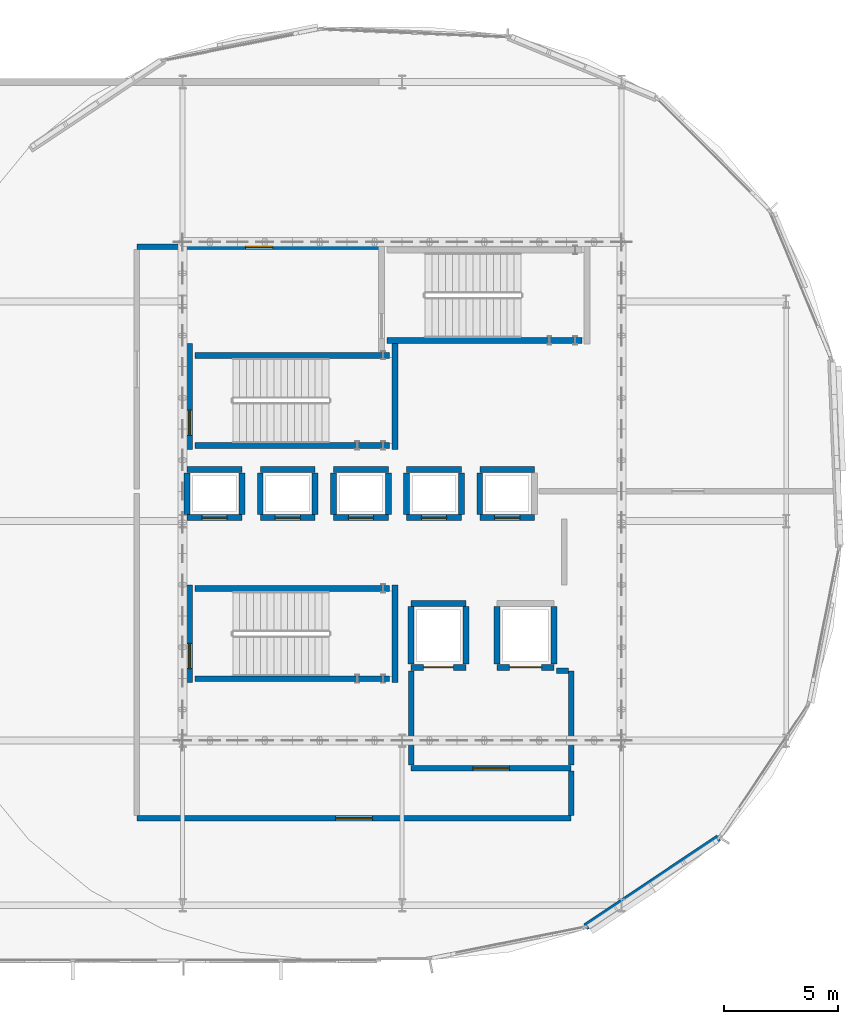
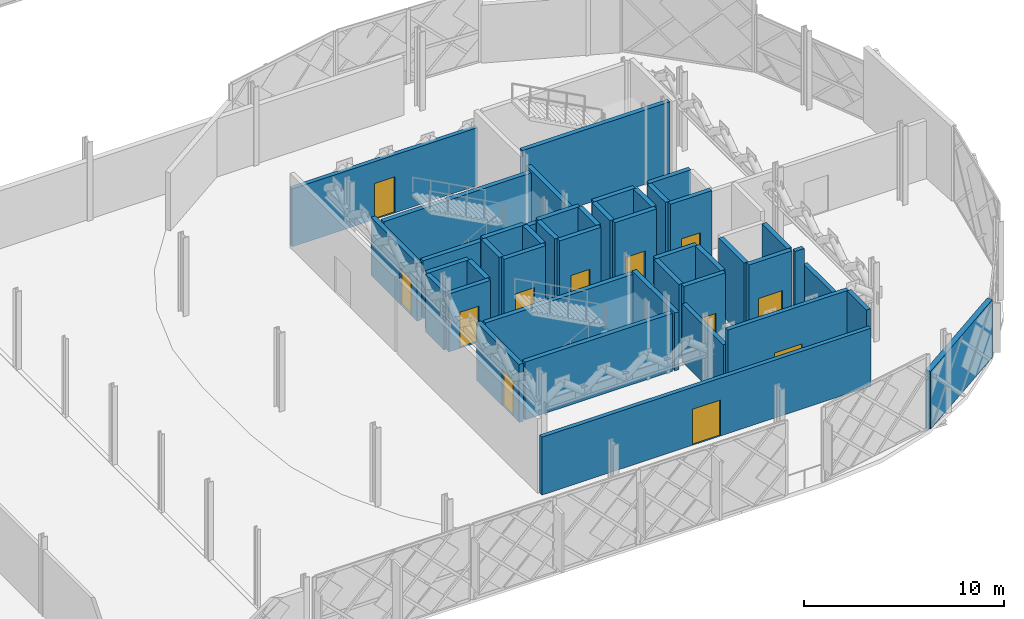
# One storey, part 52 of 77: 43 walls, 12 doors, 12 openings.
"""IFC4 building model written with IfcOpenShell, lengths in metres."""

import ifcopenshell
import ifcopenshell.guid

model = None  # the IFC model being written
_history = None  # IfcOwnerHistory: only IFC2X3 demands one
_inside = {}  # id of a spatial element -> (the spatial element, [elements in it])
_under = {}  # id of a project, library or spatial element -> (it, [spatial elements below it])
_declared = {}  # id of a project -> (the project, [libraries it declares])
_typed = {}  # id of a type object -> (the type object, [elements of that type])
_made_of = {}  # id of a material, layer set ... -> (it, [elements and type objects made of it])


def new_model(schema):
    """Start an empty IFC model of exactly this schema.

    Asked for "IFC4X3", IfcOpenShell would pick the latest addendum, in which some entities
    have other attributes; the version numbers below select the first issue.
    IFC2X3 requires an IfcOwnerHistory on every rooted entity: one is made here for all.
    """
    global model, _history
    if schema == "IFC4X3":
        model = ifcopenshell.file(schema_version=(4, 3, 0, 0))
    else:
        model = ifcopenshell.file(schema=schema)
    _inside.clear()
    _under.clear()
    _declared.clear()
    _typed.clear()
    _made_of.clear()
    _history = None
    if model.schema == "IFC2X3":
        org = make("IfcOrganization", Name="unknown")
        user = make(
            "IfcPersonAndOrganization",
            ThePerson=make("IfcPerson", FamilyName="unknown"),
            TheOrganization=org,
        )
        app = make(
            "IfcApplication",
            ApplicationDeveloper=org,
            Version="unknown",
            ApplicationFullName="unknown",
            ApplicationIdentifier="unknown",
        )
        _history = make(
            "IfcOwnerHistory",
            OwningUser=user,
            OwningApplication=app,
            ChangeAction="ADDED",
            CreationDate=0,
        )
    return model


def make(cls, **values):
    """One entity of the class cls with the attributes given. An attribute that is None is left unset."""
    return model.create_entity(
        cls, **{name: value for name, value in values.items() if value is not None}
    )


def rooted(cls, **values):
    """An entity with a GlobalId (a new one), such as an element, a storey or a relation."""
    return make(cls, GlobalId=ifcopenshell.guid.new(), OwnerHistory=_history, **values)


def si_unit(unit_type, name, prefix=None):
    """IfcSIUnit, for example si_unit("LENGTHUNIT", "METRE", prefix="MILLI")."""
    return make("IfcSIUnit", UnitType=unit_type, Prefix=prefix, Name=name)


def assignment(units):
    """IfcUnitAssignment: the units of a project."""
    return None if units is None else make("IfcUnitAssignment", Units=units)


def point(xyz):
    """IfcCartesianPoint."""
    return None if xyz is None else make("IfcCartesianPoint", Coordinates=xyz)


def direction(xyz):
    """IfcDirection."""
    return None if xyz is None else make("IfcDirection", DirectionRatios=xyz)


def frame(location, z_axis=None, x_axis=None):
    """IfcAxis2Placement3D, a coordinate frame: its origin and axes. An axis left out is left unset."""
    return make(
        "IfcAxis2Placement3D",
        Location=point(location),
        Axis=direction(z_axis),
        RefDirection=direction(x_axis),
    )


def frame_2d(location, x_axis=None):
    """IfcAxis2Placement2D, a coordinate frame in the plane: its origin and x axis."""
    return make(
        "IfcAxis2Placement2D", Location=point(location), RefDirection=direction(x_axis)
    )


def origin():
    """The frame at (0, 0, 0) with its axes left unset."""
    return frame((0.0, 0.0, 0.0))


def place(relative_to, where):
    """IfcLocalPlacement: puts the frame where relative to a parent placement (None: the world)."""
    return make(
        "IfcLocalPlacement", PlacementRelTo=relative_to, RelativePlacement=where
    )


def context(
    kind, dimensions, precision=None, world=None, true_north=None, identifier=None
):
    """IfcGeometricRepresentationContext, for example the 3D "Model" context."""
    return make(
        "IfcGeometricRepresentationContext",
        ContextIdentifier=identifier,
        ContextType=kind,
        CoordinateSpaceDimension=dimensions,
        Precision=precision,
        WorldCoordinateSystem=world,
        TrueNorth=true_north,
    )


def subcontext(parent, identifier, kind, view, scale=None):
    """IfcGeometricRepresentationSubContext, for example "Body" below "Model"."""
    return make(
        "IfcGeometricRepresentationSubContext",
        ContextIdentifier=identifier,
        ContextType=kind,
        ParentContext=parent,
        TargetScale=scale,
        TargetView=view,
    )


def project(units=None, contexts=None):
    """IfcProject with its units and contexts."""
    return rooted(
        "IfcProject",
        Name="project",
        RepresentationContexts=contexts,
        UnitsInContext=assignment(units),
    )


def spatial(cls, under=None, at=None, **own):
    """A site, building, storey or space (cls), placed at a placement, below another one or the project."""
    s = rooted(cls, ObjectPlacement=at, **own)
    if under is not None:
        _under.setdefault(under.id(), (under, []))[1].append(s)
    return s


def profile(cls, at=None, kind="AREA", **sizes):
    """A parametric profile (cls). Its sizes go by their IFC names, for example OverallWidth=200.0."""
    return make(cls, ProfileType=kind, Position=at, **sizes)


def rectangle(**sizes):
    """IfcRectangleProfileDef."""
    return profile("IfcRectangleProfileDef", **sizes)


def extrude(swept, where, along, depth):
    """IfcExtrudedAreaSolid: the profile swept, set in the frame where, extruded along a direction by depth."""
    return make(
        "IfcExtrudedAreaSolid",
        SweptArea=swept,
        Position=where,
        ExtrudedDirection=direction(along),
        Depth=depth,
    )


def shape(context_of_items, identifier, shape_type, items):
    """IfcShapeRepresentation: the items that make up one representation, for example the "Body"."""
    return make(
        "IfcShapeRepresentation",
        ContextOfItems=context_of_items,
        RepresentationIdentifier=identifier,
        RepresentationType=shape_type,
        Items=items,
    )


def material(Name=None, Category=None):
    """IfcMaterial."""
    return make("IfcMaterial", Name=Name, Category=Category)


def layer(
    of_material, thickness, ventilated=None, Name=None, Category=None, Priority=None
):
    """IfcMaterialLayer: one layer of a wall or slab, of a material (None: an air gap)."""
    return make(
        "IfcMaterialLayer",
        Material=of_material,
        LayerThickness=thickness,
        IsVentilated=ventilated,
        Name=Name,
        Category=Category,
        Priority=Priority,
    )


def layer_set(layers, Name=None):
    """IfcMaterialLayerSet."""
    return make("IfcMaterialLayerSet", MaterialLayers=layers, LayerSetName=Name)


def made_of(thing, what):
    """Note that an element or type object is made of a material, layer set ...; save() writes the relation."""
    if what is not None:
        _made_of.setdefault(what.id(), (what, []))[1].append(thing)
    return thing


def type_object(cls, material=None, **own):
    """A type object (cls), such as IfcWallType, which elements share."""
    return made_of(rooted(cls, **own), material)


def element(
    cls,
    number,
    at=None,
    inside=None,
    cuts=None,
    type_object=None,
    material=None,
    context=None,
    identifier="Body",
    shape_type=None,
    held_by="IfcProductDefinitionShape",
    body=None,
    shapes=None,
    **own,
):
    """One element of the class cls, such as IfcWall. Its Tag is "e" and its number.

    at: its placement. inside: the storey or other place that contains it. cuts: it is an
    opening in that element (IfcRelVoidsElement). A single representation is given by context,
    identifier, shape_type and body (its items); several are given by shapes. held_by: the class
    of the entity that holds the representations. save() writes the other relations.
    """
    e = rooted(cls, Tag="e%d" % number, ObjectPlacement=at, **own)
    if body is not None:
        shapes = [shape(context, identifier, shape_type, body)]
    if shapes is not None:
        e.Representation = make(held_by, Representations=shapes)
    if inside is not None:
        _inside.setdefault(inside.id(), (inside, []))[1].append(e)
    if cuts is not None:
        rooted(
            "IfcRelVoidsElement", RelatingBuildingElement=cuts, RelatedOpeningElement=e
        )
    if type_object is not None:
        _typed.setdefault(type_object.id(), (type_object, []))[1].append(e)
    return made_of(e, material)


def fill(opening, filler):
    """IfcRelFillsElement: the door or window that sits in an opening."""
    return rooted(
        "IfcRelFillsElement",
        RelatingOpeningElement=opening,
        RelatedBuildingElement=filler,
    )


def aggregate(whole, parts):
    """IfcRelAggregates: a whole, such as a stair, and the parts it consists of."""
    return rooted("IfcRelAggregates", RelatingObject=whole, RelatedObjects=parts)


def save(model, path):
    """Write the relations noted so far, then the file.

    IfcRelAggregates (storeys below a building ...), IfcRelContainedInSpatialStructure (elements
    in a storey), IfcRelDefinesByType, IfcRelAssociatesMaterial and IfcRelDeclares: one each for
    every whole, place, type object, material and project.
    """
    for whole, parts in _under.values():
        aggregate(whole, parts)
    for where, things in _inside.values():
        rooted(
            "IfcRelContainedInSpatialStructure",
            RelatedElements=things,
            RelatingStructure=where,
        )
    for kind, things in _typed.values():
        rooted("IfcRelDefinesByType", RelatedObjects=things, RelatingType=kind)
    for what, things in _made_of.values():
        rooted("IfcRelAssociatesMaterial", RelatedObjects=things, RelatingMaterial=what)
    for by, libraries in _declared.values():
        rooted("IfcRelDeclares", RelatingContext=by, RelatedDefinitions=libraries)
    model.write(path)


model = new_model("IFC4")

# Units and contexts
model_context = context("Model", 3, precision=1e-05, world=origin(), true_north=direction((0.0, 1.0)))
body_context = subcontext(model_context, "Body", "Model", "MODEL_VIEW")
ifc_project = project(units=[si_unit("LENGTHUNIT", "METRE"), si_unit("AREAUNIT", "SQUARE_METRE"), si_unit("VOLUMEUNIT", "CUBIC_METRE"), si_unit("PLANEANGLEUNIT", "RADIAN"), si_unit("MASSUNIT", "GRAM", prefix="KILO")], contexts=[model_context])

# Site, building, storey
site_placement = place(None, origin())
site = spatial("IfcSite", under=ifc_project, at=site_placement, CompositionType="ELEMENT")
building_placement = place(site_placement, origin())
building = spatial("IfcBuilding", under=site, at=building_placement, Name="Zevrakil Square Congress Hotel", CompositionType="ELEMENT")
storey_placement = place(building_placement, frame((0.0, 0.0, 9.89990234375)))
storey = spatial("IfcBuildingStorey", under=building, at=storey_placement, Name="L03", CompositionType="ELEMENT", Elevation=9.89990234375)

# Wall, opening, door
ifc_material_1 = material(Name="Concrete C35/45", Category="concrete")
ifc_layer_1 = layer(ifc_material_1, 0.239990234375)
ifc_layer_set_1 = layer_set([ifc_layer_1], Name="Concrete C35/45")
wall_type_1 = type_object("IfcWallType", Name="WAL-COMP-240", PredefinedType="SOLIDWALL", material=ifc_layer_set_1)
wall_1_placement = place(storey_placement, frame((146.800048828125, 15.60009765625, 0.0), z_axis=(0.0, 0.0, 1.0), x_axis=(1.0, 0.0, 0.0)))
wall_1 = element("IfcWall", 1, at=wall_1_placement, inside=storey, type_object=wall_type_1, Name="L03 interior partition PW-L03-0063", PredefinedType="SOLIDWALL", context=body_context, shape_type="SweptSolid", body=[
    extrude(rectangle(XDim=7.0, YDim=0.239990234375, at=frame_2d((3.5, 0.0))), origin(), (0.0, 0.0, 1.0), 4.5400390625),
])
opening_1_placement = place(wall_1_placement, frame((2.699951171875, 0.0, 0.0)))
opening_1 = element("IfcOpeningElement", 2, at=opening_1_placement, cuts=wall_1, Name="Opening FD90-D", PredefinedType="OPENING", context=body_context, shape_type="SweptSolid", body=[
    extrude(rectangle(XDim=1.60009765625, YDim=2.199951171875, at=frame_2d((0.800048828125, 1.10009765625))), frame((0.0, 0.1298828125, 0.0), z_axis=(0.0, -1.0, 0.0), x_axis=(1.0, 0.0, 0.0)), (0.0, 0.0, 1.0), 0.260009765625),
])
ifc_material_2 = material(Name="Steel S355 Double Fire Door", Category="steel")
door_type_1 = type_object("IfcDoorType", Name="DOR-FFLOB-FD90-160", OperationType="NOTDEFINED", PredefinedType="DOOR", material=ifc_material_2)
door_1_placement = place(opening_1_placement, origin())
door_1 = element("IfcDoor", 3, at=door_1_placement, inside=storey, type_object=door_type_1, Name="L03 interior door 22", OperationType="DOUBLE_DOOR_SINGLE_SWING", OverallHeight=2.199951171875, OverallWidth=1.60009765625, PredefinedType="DOOR", context=body_context, shape_type="SweptSolid", body=[
    extrude(rectangle(XDim=1.60009765625, YDim=2.199951171875, at=frame_2d((0.800048828125, 1.10009765625))), frame((0.0, 0.02490234375, 0.0), z_axis=(0.0, -1.0, 0.0), x_axis=(1.0, 0.0, 0.0)), (0.0, 0.0, 1.0), 0.050048828125),
])
fill(opening_1, door_1)

# Walls
for number, where, z_axis, x_axis, name in (
    (4, (146.800048828125, 15.72509765625, 0.0), (0.0, 0.0, 1.0), (0.0, 1.0, 0.0), "L03 interior partition PW-L03-0064"),
    (5, (153.800048828125, 15.72509765625, 0.0), (0.0, 0.0, 1.0), (0.0, 1.0, 0.0), "L03 interior partition PW-L03-0065"),
):
    element("IfcWall", number, at=place(storey_placement, frame(where, z_axis=z_axis, x_axis=x_axis)), inside=storey, type_object=wall_type_1, Name=name, PredefinedType="SOLIDWALL", context=body_context, shape_type="SweptSolid", body=[
        extrude(rectangle(XDim=4.125, YDim=0.239990234375, at=frame_2d((2.0625, 0.0))), origin(), (0.0, 0.0, 1.0), 3.53515625),
    ])
wall_2_placement = place(storey_placement, frame((153.14990234375, 19.85009765625, 0.0), z_axis=(0.0, 0.0, 1.0), x_axis=(1.0, 0.0, 0.0)))
element("IfcWall", 6, at=wall_2_placement, inside=storey, type_object=wall_type_1, Name="L03 interior partition PW-L03-0066", PredefinedType="SOLIDWALL", context=body_context, shape_type="SweptSolid", body=[
    extrude(rectangle(XDim=0.525146484375, YDim=0.239990234375, at=frame_2d((0.2626953125, 0.0))), origin(), (0.0, 0.0, 1.0), 4.5400390625),
])

# Wall, opening, door
wall_3_placement = place(storey_placement, frame((134.800048828125, 13.39990234375, 0.0), z_axis=(0.0, 0.0, 1.0), x_axis=(1.0, 0.0, 0.0)))
wall_3 = element("IfcWall", 7, at=wall_3_placement, inside=storey, type_object=wall_type_1, Name="L03 interior partition PW-L03-0067", PredefinedType="SOLIDWALL", context=body_context, shape_type="SweptSolid", body=[
    extrude(rectangle(XDim=19.0, YDim=0.239990234375, at=frame_2d((9.5, 0.0))), origin(), (0.0, 0.0, 1.0), 3.53515625),
])
opening_2_placement = place(wall_3_placement, frame((8.699951171875, 0.0, 0.0)))
opening_2 = element("IfcOpeningElement", 8, at=opening_2_placement, cuts=wall_3, Name="Opening FD90-D", PredefinedType="OPENING", context=body_context, shape_type="SweptSolid", body=[
    extrude(rectangle(XDim=1.60009765625, YDim=2.199951171875, at=frame_2d((0.800048828125, 1.10009765625))), frame((0.0, 0.1298828125, 0.0), z_axis=(0.0, -1.0, 0.0), x_axis=(1.0, 0.0, 0.0)), (0.0, 0.0, 1.0), 0.260009765625),
])
door_2_placement = place(opening_2_placement, origin())
door_2 = element("IfcDoor", 9, at=door_2_placement, inside=storey, type_object=door_type_1, Name="L03 interior door 23", OperationType="DOUBLE_DOOR_SINGLE_SWING", OverallHeight=2.199951171875, OverallWidth=1.60009765625, PredefinedType="DOOR", context=body_context, shape_type="SweptSolid", body=[
    extrude(rectangle(XDim=1.60009765625, YDim=2.199951171875, at=frame_2d((0.800048828125, 1.10009765625))), frame((0.0, 0.02490234375, 0.0), z_axis=(0.0, -1.0, 0.0), x_axis=(1.0, 0.0, 0.0)), (0.0, 0.0, 1.0), 0.050048828125),
])
fill(opening_2, door_2)

# Wall
wall_4_placement = place(storey_placement, frame((153.800048828125, 13.52490234375, 0.0), z_axis=(0.0, 0.0, 1.0), x_axis=(0.0, 1.0, 0.0)))
element("IfcWall", 10, at=wall_4_placement, inside=storey, type_object=wall_type_1, Name="L03 interior partition PW-L03-0068", PredefinedType="SOLIDWALL", context=body_context, shape_type="SweptSolid", body=[
    extrude(rectangle(XDim=1.9501953125, YDim=0.239990234375, at=frame_2d((0.97509765625, 0.0))), origin(), (0.0, 0.0, 1.0), 4.5400390625),
])

# Wall, opening, door
wall_5_placement = place(storey_placement, frame((134.800048828125, 38.39990234375, 0.0), z_axis=(0.0, 0.0, 1.0), x_axis=(1.0, 0.0, 0.0)))
wall_5 = element("IfcWall", 11, at=wall_5_placement, inside=storey, type_object=wall_type_1, Name="L03 interior partition PW-L03-0071", PredefinedType="SOLIDWALL", context=body_context, shape_type="SweptSolid", body=[
    extrude(rectangle(XDim=10.699951171875, YDim=0.239990234375, at=frame_2d((5.35009765625, 0.0))), origin(), (0.0, 0.0, 1.0), 3.53515625),
])
opening_3_placement = place(wall_5_placement, frame((4.75, 0.0, 0.0)))
opening_3 = element("IfcOpeningElement", 12, at=opening_3_placement, cuts=wall_5, Name="Opening FD90", PredefinedType="OPENING", context=body_context, shape_type="SweptSolid", body=[
    extrude(rectangle(XDim=1.199951171875, YDim=2.199951171875, at=frame_2d((0.60009765625, 1.10009765625))), frame((0.0, 0.1298828125, 0.0), z_axis=(0.0, -1.0, 0.0), x_axis=(1.0, 0.0, 0.0)), (0.0, 0.0, 1.0), 0.260009765625),
])
ifc_material_3 = material(Name="Steel S355 Fire-Rated Door", Category="steel")
door_type_2 = type_object("IfcDoorType", Name="DOR-STAIR-FD90-120", OperationType="NOTDEFINED", PredefinedType="DOOR", material=ifc_material_3)
door_3_placement = place(opening_3_placement, origin())
door_3 = element("IfcDoor", 13, at=door_3_placement, inside=storey, type_object=door_type_2, Name="L03 interior door 25", OperationType="SINGLE_SWING_LEFT", OverallHeight=2.199951171875, OverallWidth=1.199951171875, PredefinedType="DOOR", context=body_context, shape_type="SweptSolid", body=[
    extrude(rectangle(XDim=1.199951171875, YDim=2.199951171875, at=frame_2d((0.60009765625, 1.10009765625))), frame((0.0, 0.02490234375, 0.0), z_axis=(0.0, -1.0, 0.0), x_axis=(1.0, 0.0, 0.0)), (0.0, 0.0, 1.0), 0.050048828125),
])
fill(opening_3, door_3)

# Wall
ifc_material_4 = material(Name="Precast concrete C40/50", Category="concrete")
ifc_layer_2 = layer(ifc_material_4, 0.300048828125)
ifc_layer_set_2 = layer_set([ifc_layer_2], Name="Precast concrete C40/50")
wall_type_2 = type_object("IfcWallType", Name="WAL-EXT-DRM-300", PredefinedType="SOLIDWALL", material=ifc_layer_set_2)
wall_6_placement = place(storey_placement, frame((154.426025390625, 8.65673828125, 0.0), z_axis=(0.0, 0.0, 1.0), x_axis=(0.831481561547, 0.555552349295, 0.0)))
element("IfcWall", 14, at=wall_6_placement, inside=storey, type_object=wall_type_2, Name="L03 exterior GRC wall EW-L03-0124", PredefinedType="SOLIDWALL", context=body_context, shape_type="SweptSolid", body=[
    extrude(rectangle(XDim=7.005859375, YDim=0.300048828125, at=frame_2d((3.5029296875, 0.0))), origin(), (0.0, 0.0, 1.0), 3.53515625),
])

# Wall, opening, door
ifc_material_5 = material(Name="Concrete C40/50", Category="concrete")
ifc_layer_3 = layer(ifc_material_5, 0.260009765625)
ifc_layer_set_3 = layer_set([ifc_layer_3], Name="Concrete C40/50")
wall_type_3 = type_object("IfcWallType", Name="WAL-SHAFT-260", PredefinedType="SHEAR", material=ifc_layer_set_3)
wall_7_placement = place(storey_placement, frame((137.10498046875, 19.340087890625, 0.0), z_axis=(0.0, 0.0, 1.0), x_axis=(0.0, 1.0, 0.0)))
wall_7 = element("IfcWall", 15, at=wall_7_placement, inside=storey, type_object=wall_type_3, Name="L03 ST01 stair shaft W wall", PredefinedType="SHEAR", context=body_context, shape_type="SweptSolid", body=[
    extrude(rectangle(XDim=4.27001953125, YDim=0.260009765625, at=frame_2d((2.135009765625, 0.0))), origin(), (0.0, 0.0, 1.0), 3.53515625),
])
opening_4_placement = place(wall_7_placement, frame((0.610107421875, 0.0, 0.0)))
opening_4 = element("IfcOpeningElement", 16, at=opening_4_placement, cuts=wall_7, Name="Opening SD-ST01", PredefinedType="OPENING", context=body_context, shape_type="SweptSolid", body=[
    extrude(rectangle(XDim=1.10009765625, YDim=2.199951171875, at=frame_2d((0.550048828125, 1.10009765625))), frame((0.0, 0.14013671875, 0.0), z_axis=(0.0, -1.0, 0.0), x_axis=(1.0, 0.0, 0.0)), (0.0, 0.0, 1.0), 0.280029296875),
])
ifc_material_6 = material(Name="Steel S355 Fire-Rated Door", Category="steel")
door_type_3 = type_object("IfcDoorType", Name="DOR-STAIR-FD90-110", OperationType="NOTDEFINED", PredefinedType="DOOR", material=ifc_material_6)
door_4_placement = place(opening_4_placement, origin())
door_4 = element("IfcDoor", 17, at=door_4_placement, inside=storey, type_object=door_type_3, Name="L03 ST01 protected stair fire door", OperationType="SINGLE_SWING_RIGHT", OverallHeight=2.199951171875, OverallWidth=1.10009765625, PredefinedType="DOOR", context=body_context, shape_type="SweptSolid", body=[
    extrude(rectangle(XDim=1.10009765625, YDim=2.199951171875, at=frame_2d((0.550048828125, 1.10009765625))), frame((0.0, 0.02490234375, 0.0), z_axis=(0.0, -1.0, 0.0), x_axis=(1.0, 0.0, 0.0)), (0.0, 0.0, 1.0), 0.050048828125),
])
fill(opening_4, door_4)

# Walls
wall_8_placement = place(storey_placement, frame((146.094970703125, 19.340087890625, 0.0), z_axis=(0.0, 0.0, 1.0), x_axis=(0.0, 1.0, 0.0)))
element("IfcWall", 18, at=wall_8_placement, inside=storey, type_object=wall_type_3, Name="L03 ST01 stair shaft E wall", PredefinedType="SHEAR", context=body_context, shape_type="SweptSolid", body=[
    extrude(rectangle(XDim=4.27001953125, YDim=0.260009765625, at=frame_2d((2.135009765625, 0.0))), origin(), (0.0, 0.0, 1.0), 3.53515625),
])
for number, where, z_axis, x_axis, name in (
    (19, (137.340087890625, 19.5048828125, 0.0), (0.0, 0.0, 1.0), (1.0, 0.0, 0.0), "L03 ST01 stair shaft S wall"),
    (20, (137.340087890625, 23.445068359375, 0.0), (0.0, 0.0, 1.0), (1.0, 0.0, 0.0), "L03 ST01 stair shaft N wall"),
):
    element("IfcWall", number, at=place(storey_placement, frame(where, z_axis=z_axis, x_axis=x_axis)), inside=storey, type_object=wall_type_3, Name=name, PredefinedType="SHEAR", context=body_context, shape_type="SweptSolid", body=[
        extrude(rectangle(XDim=8.52001953125, YDim=0.260009765625, at=frame_2d((4.260009765625, 0.0))), origin(), (0.0, 0.0, 1.0), 3.53515625),
    ])

# Wall, opening, door
wall_9_placement = place(storey_placement, frame((137.10498046875, 29.5400390625, 0.0), z_axis=(0.0, 0.0, 1.0), x_axis=(0.0, 1.0, 0.0)))
wall_9 = element("IfcWall", 21, at=wall_9_placement, inside=storey, type_object=wall_type_3, Name="L03 ST02 stair shaft W wall", PredefinedType="SHEAR", context=body_context, shape_type="SweptSolid", body=[
    extrude(rectangle(XDim=4.635009765625, YDim=0.260009765625, at=frame_2d((2.3173828125, 0.0))), origin(), (0.0, 0.0, 1.0), 3.53515625),
])
opening_5_placement = place(wall_9_placement, frame((0.610107421875, 0.0, 0.0)))
opening_5 = element("IfcOpeningElement", 22, at=opening_5_placement, cuts=wall_9, Name="Opening SD-ST02", PredefinedType="OPENING", context=body_context, shape_type="SweptSolid", body=[
    extrude(rectangle(XDim=1.10009765625, YDim=2.199951171875, at=frame_2d((0.550048828125, 1.10009765625))), frame((0.0, 0.14013671875, 0.0), z_axis=(0.0, -1.0, 0.0), x_axis=(1.0, 0.0, 0.0)), (0.0, 0.0, 1.0), 0.280029296875),
])
door_5_placement = place(opening_5_placement, origin())
door_5 = element("IfcDoor", 23, at=door_5_placement, inside=storey, type_object=door_type_3, Name="L03 ST02 protected stair fire door", OperationType="SINGLE_SWING_RIGHT", OverallHeight=2.199951171875, OverallWidth=1.10009765625, PredefinedType="DOOR", context=body_context, shape_type="SweptSolid", body=[
    extrude(rectangle(XDim=1.10009765625, YDim=2.199951171875, at=frame_2d((0.550048828125, 1.10009765625))), frame((0.0, 0.02490234375, 0.0), z_axis=(0.0, -1.0, 0.0), x_axis=(1.0, 0.0, 0.0)), (0.0, 0.0, 1.0), 0.050048828125),
])
fill(opening_5, door_5)

# Walls
wall_10_placement = place(storey_placement, frame((146.094970703125, 29.5400390625, 0.0), z_axis=(0.0, 0.0, 1.0), x_axis=(0.0, 1.0, 0.0)))
element("IfcWall", 24, at=wall_10_placement, inside=storey, type_object=wall_type_3, Name="L03 ST02 stair shaft E wall", PredefinedType="SHEAR", context=body_context, shape_type="SweptSolid", body=[
    extrude(rectangle(XDim=4.635009765625, YDim=0.260009765625, at=frame_2d((2.3173828125, 0.0))), origin(), (0.0, 0.0, 1.0), 3.53515625),
])
for number, where, z_axis, x_axis, name in (
    (25, (137.340087890625, 29.705078125, 0.0), (0.0, 0.0, 1.0), (1.0, 0.0, 0.0), "L03 ST02 stair shaft S wall"),
    (26, (137.340087890625, 33.64501953125, 0.0), (0.0, 0.0, 1.0), (1.0, 0.0, 0.0), "L03 ST02 stair shaft N wall"),
):
    element("IfcWall", number, at=place(storey_placement, frame(where, z_axis=z_axis, x_axis=x_axis)), inside=storey, type_object=wall_type_3, Name=name, PredefinedType="SHEAR", context=body_context, shape_type="SweptSolid", body=[
        extrude(rectangle(XDim=8.52001953125, YDim=0.260009765625, at=frame_2d((4.260009765625, 0.0))), origin(), (0.0, 0.0, 1.0), 3.53515625),
    ])
wall_11_placement = place(storey_placement, frame((145.739990234375, 34.304931640625, 0.0), z_axis=(0.0, 0.0, 1.0), x_axis=(1.0, 0.0, 0.0)))
element("IfcWall", 27, at=wall_11_placement, inside=storey, type_object=wall_type_3, Name="L03 ST03 stair shaft S wall", PredefinedType="SHEAR", context=body_context, shape_type="SweptSolid", body=[
    extrude(rectangle(XDim=8.52001953125, YDim=0.260009765625, at=frame_2d((4.260009765625, 0.0))), origin(), (0.0, 0.0, 1.0), 4.5400390625),
])

# Wall, opening, door
wall_12_placement = place(storey_placement, frame((137.0, 26.550048828125, 0.0), z_axis=(0.0, 0.0, 1.0), x_axis=(1.0, 0.0, 0.0)))
wall_12 = element("IfcWall", 28, at=wall_12_placement, inside=storey, type_object=wall_type_3, Name="L03 HL1 lift shaft wall", PredefinedType="SHEAR", context=body_context, shape_type="SweptSolid", body=[
    extrude(rectangle(XDim=2.39990234375, YDim=0.260009765625, at=frame_2d((1.199951171875, 0.0))), origin(), (0.0, 0.0, 1.0), 3.53515625),
])
opening_6_placement = place(wall_12_placement, frame((0.64990234375, 0.0, 0.0)))
opening_6 = element("IfcOpeningElement", 29, at=opening_6_placement, cuts=wall_12, Name="Opening LD-HL1", PredefinedType="OPENING", context=body_context, shape_type="SweptSolid", body=[
    extrude(rectangle(XDim=1.10009765625, YDim=2.199951171875, at=frame_2d((0.550048828125, 1.10009765625))), frame((0.0, 0.14013671875, 0.0), z_axis=(0.0, -1.0, 0.0), x_axis=(1.0, 0.0, 0.0)), (0.0, 0.0, 1.0), 0.280029296875),
])
ifc_material_7 = material(Name="Stainless Steel Sliding Lift Landing Door", Category="steel")
door_type_4 = type_object("IfcDoorType", Name="DOR-LIFT-LD110", OperationType="NOTDEFINED", PredefinedType="DOOR", material=ifc_material_7)
door_6_placement = place(opening_6_placement, origin())
door_6 = element("IfcDoor", 30, at=door_6_placement, inside=storey, type_object=door_type_4, Name="L03 HL1 sliding lift landing door", OperationType="SLIDING_TO_LEFT", OverallHeight=2.199951171875, OverallWidth=1.10009765625, PredefinedType="DOOR", context=body_context, shape_type="SweptSolid", body=[
    extrude(rectangle(XDim=1.10009765625, YDim=2.199951171875, at=frame_2d((0.550048828125, 1.10009765625))), frame((0.0, 0.02490234375, 0.0), z_axis=(0.0, -1.0, 0.0), x_axis=(1.0, 0.0, 0.0)), (0.0, 0.0, 1.0), 0.050048828125),
])
fill(opening_6, door_6)

# Walls
wall_13_placement = place(storey_placement, frame((137.0, 28.64990234375, 0.0), z_axis=(0.0, 0.0, 1.0), x_axis=(1.0, 0.0, 0.0)))
element("IfcWall", 31, at=wall_13_placement, inside=storey, type_object=wall_type_3, Name="L03 HL1 lift shaft wall", PredefinedType="SHEAR", context=body_context, shape_type="SweptSolid", body=[
    extrude(rectangle(XDim=2.39990234375, YDim=0.260009765625, at=frame_2d((1.199951171875, 0.0))), origin(), (0.0, 0.0, 1.0), 3.53515625),
])
for number, where, z_axis, x_axis, name in (
    (32, (137.0, 26.68994140625, 0.0), (0.0, 0.0, 1.0), (0.0, 1.0, 0.0), "L03 HL1 lift shaft wall"),
    (33, (139.39990234375, 26.68994140625, 0.0), (0.0, 0.0, 1.0), (0.0, 1.0, 0.0), "L03 HL1 lift shaft wall"),
):
    element("IfcWall", number, at=place(storey_placement, frame(where, z_axis=z_axis, x_axis=x_axis)), inside=storey, type_object=wall_type_3, Name=name, PredefinedType="SHEAR", context=body_context, shape_type="SweptSolid", body=[
        extrude(rectangle(XDim=1.820068359375, YDim=0.260009765625, at=frame_2d((0.91015625, 0.0))), origin(), (0.0, 0.0, 1.0), 3.53515625),
    ])

# Wall, opening, door
wall_14_placement = place(storey_placement, frame((140.199951171875, 26.550048828125, 0.0), z_axis=(0.0, 0.0, 1.0), x_axis=(1.0, 0.0, 0.0)))
wall_14 = element("IfcWall", 34, at=wall_14_placement, inside=storey, type_object=wall_type_3, Name="L03 HL2 lift shaft wall", PredefinedType="SHEAR", context=body_context, shape_type="SweptSolid", body=[
    extrude(rectangle(XDim=2.400146484375, YDim=0.260009765625, at=frame_2d((1.2001953125, 0.0))), origin(), (0.0, 0.0, 1.0), 4.5400390625),
])
opening_7_placement = place(wall_14_placement, frame((0.64990234375, 0.0, 0.0)))
opening_7 = element("IfcOpeningElement", 35, at=opening_7_placement, cuts=wall_14, Name="Opening LD-HL2", PredefinedType="OPENING", context=body_context, shape_type="SweptSolid", body=[
    extrude(rectangle(XDim=1.10009765625, YDim=2.199951171875, at=frame_2d((0.550048828125, 1.10009765625))), frame((0.0, 0.14013671875, 0.0), z_axis=(0.0, -1.0, 0.0), x_axis=(1.0, 0.0, 0.0)), (0.0, 0.0, 1.0), 0.280029296875),
])
door_7_placement = place(opening_7_placement, origin())
door_7 = element("IfcDoor", 36, at=door_7_placement, inside=storey, type_object=door_type_4, Name="L03 HL2 sliding lift landing door", OperationType="SLIDING_TO_RIGHT", OverallHeight=2.199951171875, OverallWidth=1.10009765625, PredefinedType="DOOR", context=body_context, shape_type="SweptSolid", body=[
    extrude(rectangle(XDim=1.10009765625, YDim=2.199951171875, at=frame_2d((0.550048828125, 1.10009765625))), frame((0.0, 0.02490234375, 0.0), z_axis=(0.0, -1.0, 0.0), x_axis=(1.0, 0.0, 0.0)), (0.0, 0.0, 1.0), 0.050048828125),
])
fill(opening_7, door_7)

# Walls
wall_15_placement = place(storey_placement, frame((140.199951171875, 28.64990234375, 0.0), z_axis=(0.0, 0.0, 1.0), x_axis=(1.0, 0.0, 0.0)))
element("IfcWall", 37, at=wall_15_placement, inside=storey, type_object=wall_type_3, Name="L03 HL2 lift shaft wall", PredefinedType="SHEAR", context=body_context, shape_type="SweptSolid", body=[
    extrude(rectangle(XDim=2.400146484375, YDim=0.260009765625, at=frame_2d((1.2001953125, 0.0))), origin(), (0.0, 0.0, 1.0), 4.5400390625),
])
for number, where, z_axis, x_axis, name in (
    (38, (140.199951171875, 26.68994140625, 0.0), (0.0, 0.0, 1.0), (0.0, 1.0, 0.0), "L03 HL2 lift shaft wall"),
    (39, (142.60009765625, 26.68994140625, 0.0), (0.0, 0.0, 1.0), (0.0, 1.0, 0.0), "L03 HL2 lift shaft wall"),
):
    element("IfcWall", number, at=place(storey_placement, frame(where, z_axis=z_axis, x_axis=x_axis)), inside=storey, type_object=wall_type_3, Name=name, PredefinedType="SHEAR", context=body_context, shape_type="SweptSolid", body=[
        extrude(rectangle(XDim=1.820068359375, YDim=0.260009765625, at=frame_2d((0.91015625, 0.0))), origin(), (0.0, 0.0, 1.0), 4.5400390625),
    ])

# Wall, opening, door
wall_16_placement = place(storey_placement, frame((143.39990234375, 26.550048828125, 0.0), z_axis=(0.0, 0.0, 1.0), x_axis=(1.0, 0.0, 0.0)))
wall_16 = element("IfcWall", 40, at=wall_16_placement, inside=storey, type_object=wall_type_3, Name="L03 HL3 lift shaft wall", PredefinedType="SHEAR", context=body_context, shape_type="SweptSolid", body=[
    extrude(rectangle(XDim=2.400146484375, YDim=0.260009765625, at=frame_2d((1.2001953125, 0.0))), origin(), (0.0, 0.0, 1.0), 4.5400390625),
])
opening_8_placement = place(wall_16_placement, frame((0.64990234375, 0.0, 0.0)))
opening_8 = element("IfcOpeningElement", 41, at=opening_8_placement, cuts=wall_16, Name="Opening LD-HL3", PredefinedType="OPENING", context=body_context, shape_type="SweptSolid", body=[
    extrude(rectangle(XDim=1.10009765625, YDim=2.199951171875, at=frame_2d((0.550048828125, 1.10009765625))), frame((0.0, 0.14013671875, 0.0), z_axis=(0.0, -1.0, 0.0), x_axis=(1.0, 0.0, 0.0)), (0.0, 0.0, 1.0), 0.280029296875),
])
door_8_placement = place(opening_8_placement, origin())
door_8 = element("IfcDoor", 42, at=door_8_placement, inside=storey, type_object=door_type_4, Name="L03 HL3 sliding lift landing door", OperationType="SLIDING_TO_LEFT", OverallHeight=2.199951171875, OverallWidth=1.10009765625, PredefinedType="DOOR", context=body_context, shape_type="SweptSolid", body=[
    extrude(rectangle(XDim=1.10009765625, YDim=2.199951171875, at=frame_2d((0.550048828125, 1.10009765625))), frame((0.0, 0.02490234375, 0.0), z_axis=(0.0, -1.0, 0.0), x_axis=(1.0, 0.0, 0.0)), (0.0, 0.0, 1.0), 0.050048828125),
])
fill(opening_8, door_8)

# Walls
wall_17_placement = place(storey_placement, frame((143.39990234375, 28.64990234375, 0.0), z_axis=(0.0, 0.0, 1.0), x_axis=(1.0, 0.0, 0.0)))
element("IfcWall", 43, at=wall_17_placement, inside=storey, type_object=wall_type_3, Name="L03 HL3 lift shaft wall", PredefinedType="SHEAR", context=body_context, shape_type="SweptSolid", body=[
    extrude(rectangle(XDim=2.400146484375, YDim=0.260009765625, at=frame_2d((1.2001953125, 0.0))), origin(), (0.0, 0.0, 1.0), 4.5400390625),
])
for number, where, z_axis, x_axis, name in (
    (44, (143.39990234375, 26.68994140625, 0.0), (0.0, 0.0, 1.0), (0.0, 1.0, 0.0), "L03 HL3 lift shaft wall"),
    (45, (145.800048828125, 26.68994140625, 0.0), (0.0, 0.0, 1.0), (0.0, 1.0, 0.0), "L03 HL3 lift shaft wall"),
):
    element("IfcWall", number, at=place(storey_placement, frame(where, z_axis=z_axis, x_axis=x_axis)), inside=storey, type_object=wall_type_3, Name=name, PredefinedType="SHEAR", context=body_context, shape_type="SweptSolid", body=[
        extrude(rectangle(XDim=1.820068359375, YDim=0.260009765625, at=frame_2d((0.91015625, 0.0))), origin(), (0.0, 0.0, 1.0), 4.5400390625),
    ])

# Wall, opening, door
wall_18_placement = place(storey_placement, frame((146.60009765625, 26.550048828125, 0.0), z_axis=(0.0, 0.0, 1.0), x_axis=(1.0, 0.0, 0.0)))
wall_18 = element("IfcWall", 46, at=wall_18_placement, inside=storey, type_object=wall_type_3, Name="L03 HL4 lift shaft wall", PredefinedType="SHEAR", context=body_context, shape_type="SweptSolid", body=[
    extrude(rectangle(XDim=2.39990234375, YDim=0.260009765625, at=frame_2d((1.199951171875, 0.0))), origin(), (0.0, 0.0, 1.0), 4.5400390625),
])
opening_9_placement = place(wall_18_placement, frame((0.64990234375, 0.0, 0.0)))
opening_9 = element("IfcOpeningElement", 47, at=opening_9_placement, cuts=wall_18, Name="Opening LD-HL4", PredefinedType="OPENING", context=body_context, shape_type="SweptSolid", body=[
    extrude(rectangle(XDim=1.10009765625, YDim=2.199951171875, at=frame_2d((0.550048828125, 1.10009765625))), frame((0.0, 0.14013671875, 0.0), z_axis=(0.0, -1.0, 0.0), x_axis=(1.0, 0.0, 0.0)), (0.0, 0.0, 1.0), 0.280029296875),
])
door_9_placement = place(opening_9_placement, origin())
door_9 = element("IfcDoor", 48, at=door_9_placement, inside=storey, type_object=door_type_4, Name="L03 HL4 sliding lift landing door", OperationType="SLIDING_TO_RIGHT", OverallHeight=2.199951171875, OverallWidth=1.10009765625, PredefinedType="DOOR", context=body_context, shape_type="SweptSolid", body=[
    extrude(rectangle(XDim=1.10009765625, YDim=2.199951171875, at=frame_2d((0.550048828125, 1.10009765625))), frame((0.0, 0.02490234375, 0.0), z_axis=(0.0, -1.0, 0.0), x_axis=(1.0, 0.0, 0.0)), (0.0, 0.0, 1.0), 0.050048828125),
])
fill(opening_9, door_9)

# Walls
wall_19_placement = place(storey_placement, frame((146.60009765625, 28.64990234375, 0.0), z_axis=(0.0, 0.0, 1.0), x_axis=(1.0, 0.0, 0.0)))
element("IfcWall", 49, at=wall_19_placement, inside=storey, type_object=wall_type_3, Name="L03 HL4 lift shaft wall", PredefinedType="SHEAR", context=body_context, shape_type="SweptSolid", body=[
    extrude(rectangle(XDim=2.39990234375, YDim=0.260009765625, at=frame_2d((1.199951171875, 0.0))), origin(), (0.0, 0.0, 1.0), 4.5400390625),
])
for number, where, z_axis, x_axis, name in (
    (50, (146.60009765625, 26.68994140625, 0.0), (0.0, 0.0, 1.0), (0.0, 1.0, 0.0), "L03 HL4 lift shaft wall"),
    (51, (149.0, 26.68994140625, 0.0), (0.0, 0.0, 1.0), (0.0, 1.0, 0.0), "L03 HL4 lift shaft wall"),
):
    element("IfcWall", number, at=place(storey_placement, frame(where, z_axis=z_axis, x_axis=x_axis)), inside=storey, type_object=wall_type_3, Name=name, PredefinedType="SHEAR", context=body_context, shape_type="SweptSolid", body=[
        extrude(rectangle(XDim=1.820068359375, YDim=0.260009765625, at=frame_2d((0.91015625, 0.0))), origin(), (0.0, 0.0, 1.0), 4.5400390625),
    ])

# Wall, opening, door
wall_20_placement = place(storey_placement, frame((149.800048828125, 26.550048828125, 0.0), z_axis=(0.0, 0.0, 1.0), x_axis=(1.0, 0.0, 0.0)))
wall_20 = element("IfcWall", 52, at=wall_20_placement, inside=storey, type_object=wall_type_3, Name="L03 HL5 lift shaft wall", PredefinedType="SHEAR", context=body_context, shape_type="SweptSolid", body=[
    extrude(rectangle(XDim=2.39990234375, YDim=0.260009765625, at=frame_2d((1.199951171875, 0.0))), origin(), (0.0, 0.0, 1.0), 4.5400390625),
])
opening_10_placement = place(wall_20_placement, frame((0.64990234375, 0.0, 0.0)))
opening_10 = element("IfcOpeningElement", 53, at=opening_10_placement, cuts=wall_20, Name="Opening LD-HL5", PredefinedType="OPENING", context=body_context, shape_type="SweptSolid", body=[
    extrude(rectangle(XDim=1.10009765625, YDim=2.199951171875, at=frame_2d((0.550048828125, 1.10009765625))), frame((0.0, 0.14013671875, 0.0), z_axis=(0.0, -1.0, 0.0), x_axis=(1.0, 0.0, 0.0)), (0.0, 0.0, 1.0), 0.280029296875),
])
door_10_placement = place(opening_10_placement, origin())
door_10 = element("IfcDoor", 54, at=door_10_placement, inside=storey, type_object=door_type_4, Name="L03 HL5 sliding lift landing door", OperationType="SLIDING_TO_LEFT", OverallHeight=2.199951171875, OverallWidth=1.10009765625, PredefinedType="DOOR", context=body_context, shape_type="SweptSolid", body=[
    extrude(rectangle(XDim=1.10009765625, YDim=2.199951171875, at=frame_2d((0.550048828125, 1.10009765625))), frame((0.0, 0.02490234375, 0.0), z_axis=(0.0, -1.0, 0.0), x_axis=(1.0, 0.0, 0.0)), (0.0, 0.0, 1.0), 0.050048828125),
])
fill(opening_10, door_10)

# Walls
wall_21_placement = place(storey_placement, frame((149.800048828125, 28.64990234375, 0.0), z_axis=(0.0, 0.0, 1.0), x_axis=(1.0, 0.0, 0.0)))
element("IfcWall", 55, at=wall_21_placement, inside=storey, type_object=wall_type_3, Name="L03 HL5 lift shaft wall", PredefinedType="SHEAR", context=body_context, shape_type="SweptSolid", body=[
    extrude(rectangle(XDim=2.39990234375, YDim=0.260009765625, at=frame_2d((1.199951171875, 0.0))), origin(), (0.0, 0.0, 1.0), 4.5400390625),
])
wall_22_placement = place(storey_placement, frame((149.800048828125, 26.68994140625, 0.0), z_axis=(0.0, 0.0, 1.0), x_axis=(0.0, 1.0, 0.0)))
element("IfcWall", 56, at=wall_22_placement, inside=storey, type_object=wall_type_3, Name="L03 HL5 lift shaft wall", PredefinedType="SHEAR", context=body_context, shape_type="SweptSolid", body=[
    extrude(rectangle(XDim=1.820068359375, YDim=0.260009765625, at=frame_2d((0.91015625, 0.0))), origin(), (0.0, 0.0, 1.0), 4.5400390625),
])

# Wall, opening, door
wall_23_placement = place(storey_placement, frame((146.800048828125, 20.0, 0.0), z_axis=(0.0, 0.0, 1.0), x_axis=(1.0, 0.0, 0.0)))
wall_23 = element("IfcWall", 57, at=wall_23_placement, inside=storey, type_object=wall_type_3, Name="L03 FFL1 lift shaft wall", PredefinedType="SHEAR", context=body_context, shape_type="SweptSolid", body=[
    extrude(rectangle(XDim=2.39990234375, YDim=0.260009765625, at=frame_2d((1.199951171875, 0.0))), origin(), (0.0, 0.0, 1.0), 4.5400390625),
])
opening_11_placement = place(wall_23_placement, frame((0.550048828125, 0.0, 0.0)))
opening_11 = element("IfcOpeningElement", 58, at=opening_11_placement, cuts=wall_23, Name="Opening LD-FFL1", PredefinedType="OPENING", context=body_context, shape_type="SweptSolid", body=[
    extrude(rectangle(XDim=1.300048828125, YDim=2.25, at=frame_2d((0.64990234375, 1.125))), frame((0.0, 0.14013671875, 0.0), z_axis=(0.0, -1.0, 0.0), x_axis=(1.0, 0.0, 0.0)), (0.0, 0.0, 1.0), 0.280029296875),
])
ifc_material_8 = material(Name="Stretcher Firefighting Sliding Landing Door")
door_type_5 = type_object("IfcDoorType", Name="DOR-LIFT-LD130", OperationType="NOTDEFINED", PredefinedType="DOOR", material=ifc_material_8)
door_11_placement = place(opening_11_placement, origin())
door_11 = element("IfcDoor", 59, at=door_11_placement, inside=storey, type_object=door_type_5, Name="L03 FFL1 sliding lift landing door", OperationType="SLIDING_TO_RIGHT", OverallHeight=2.25, OverallWidth=1.300048828125, PredefinedType="DOOR", context=body_context, shape_type="SweptSolid", body=[
    extrude(rectangle(XDim=1.300048828125, YDim=2.25, at=frame_2d((0.64990234375, 1.125))), frame((0.0, 0.02490234375, 0.0), z_axis=(0.0, -1.0, 0.0), x_axis=(1.0, 0.0, 0.0)), (0.0, 0.0, 1.0), 0.050048828125),
])
fill(opening_11, door_11)

# Walls
wall_24_placement = place(storey_placement, frame((146.800048828125, 22.800048828125, 0.0), z_axis=(0.0, 0.0, 1.0), x_axis=(1.0, 0.0, 0.0)))
element("IfcWall", 60, at=wall_24_placement, inside=storey, type_object=wall_type_3, Name="L03 FFL1 lift shaft wall", PredefinedType="SHEAR", context=body_context, shape_type="SweptSolid", body=[
    extrude(rectangle(XDim=2.39990234375, YDim=0.260009765625, at=frame_2d((1.199951171875, 0.0))), origin(), (0.0, 0.0, 1.0), 4.5400390625),
])
for number, where, z_axis, x_axis, name in (
    (61, (146.800048828125, 20.139892578125, 0.0), (0.0, 0.0, 1.0), (0.0, 1.0, 0.0), "L03 FFL1 lift shaft wall"),
    (62, (149.199951171875, 20.139892578125, 0.0), (0.0, 0.0, 1.0), (0.0, 1.0, 0.0), "L03 FFL1 lift shaft wall"),
):
    element("IfcWall", number, at=place(storey_placement, frame(where, z_axis=z_axis, x_axis=x_axis)), inside=storey, type_object=wall_type_3, Name=name, PredefinedType="SHEAR", context=body_context, shape_type="SweptSolid", body=[
        extrude(rectangle(XDim=2.52001953125, YDim=0.260009765625, at=frame_2d((1.260009765625, 0.0))), origin(), (0.0, 0.0, 1.0), 4.5400390625),
    ])

# Wall, opening, door
wall_25_placement = place(storey_placement, frame((150.550048828125, 20.0, 0.0), z_axis=(0.0, 0.0, 1.0), x_axis=(1.0, 0.0, 0.0)))
wall_25 = element("IfcWall", 63, at=wall_25_placement, inside=storey, type_object=wall_type_3, Name="L03 SL1 lift shaft wall", PredefinedType="SHEAR", context=body_context, shape_type="SweptSolid", body=[
    extrude(rectangle(XDim=2.5, YDim=0.260009765625, at=frame_2d((1.25, 0.0))), origin(), (0.0, 0.0, 1.0), 4.5400390625),
])
opening_12_placement = place(wall_25_placement, frame((0.550048828125, 0.0, 0.0)))
opening_12 = element("IfcOpeningElement", 64, at=opening_12_placement, cuts=wall_25, Name="Opening LD-SL1", PredefinedType="OPENING", context=body_context, shape_type="SweptSolid", body=[
    extrude(rectangle(XDim=1.39990234375, YDim=2.300048828125, at=frame_2d((0.699951171875, 1.14990234375))), frame((0.0, 0.14013671875, 0.0), z_axis=(0.0, -1.0, 0.0), x_axis=(1.0, 0.0, 0.0)), (0.0, 0.0, 1.0), 0.280029296875),
])
ifc_material_9 = material(Name="Goods Service Sliding Landing Door")
door_type_6 = type_object("IfcDoorType", Name="DOR-LIFT-LD140", OperationType="NOTDEFINED", PredefinedType="DOOR", material=ifc_material_9)
door_12_placement = place(opening_12_placement, origin())
door_12 = element("IfcDoor", 65, at=door_12_placement, inside=storey, type_object=door_type_6, Name="L03 SL1 sliding lift landing door", OperationType="SLIDING_TO_LEFT", OverallHeight=2.300048828125, OverallWidth=1.39990234375, PredefinedType="DOOR", context=body_context, shape_type="SweptSolid", body=[
    extrude(rectangle(XDim=1.39990234375, YDim=2.300048828125, at=frame_2d((0.699951171875, 1.14990234375))), frame((0.0, 0.02490234375, 0.0), z_axis=(0.0, -1.0, 0.0), x_axis=(1.0, 0.0, 0.0)), (0.0, 0.0, 1.0), 0.050048828125),
])
fill(opening_12, door_12)

# Walls
for number, where, z_axis, x_axis, name in (
    (66, (150.550048828125, 20.139892578125, 0.0), (0.0, 0.0, 1.0), (0.0, 1.0, 0.0), "L03 SL1 lift shaft wall"),
    (67, (153.050048828125, 20.139892578125, 0.0), (0.0, 0.0, 1.0), (0.0, 1.0, 0.0), "L03 SL1 lift shaft wall"),
):
    element("IfcWall", number, at=place(storey_placement, frame(where, z_axis=z_axis, x_axis=x_axis)), inside=storey, type_object=wall_type_3, Name=name, PredefinedType="SHEAR", context=body_context, shape_type="SweptSolid", body=[
        extrude(rectangle(XDim=2.52001953125, YDim=0.260009765625, at=frame_2d((1.260009765625, 0.0))), origin(), (0.0, 0.0, 1.0), 4.5400390625),
    ])

save(model, "model.ifc")
